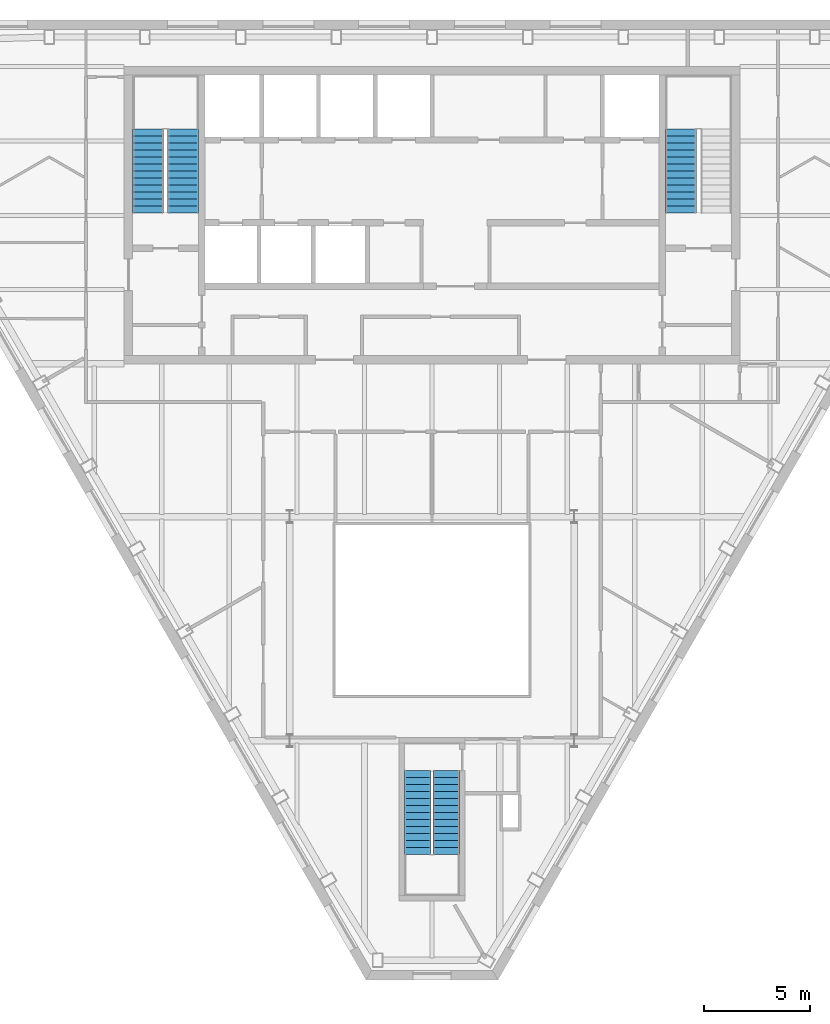
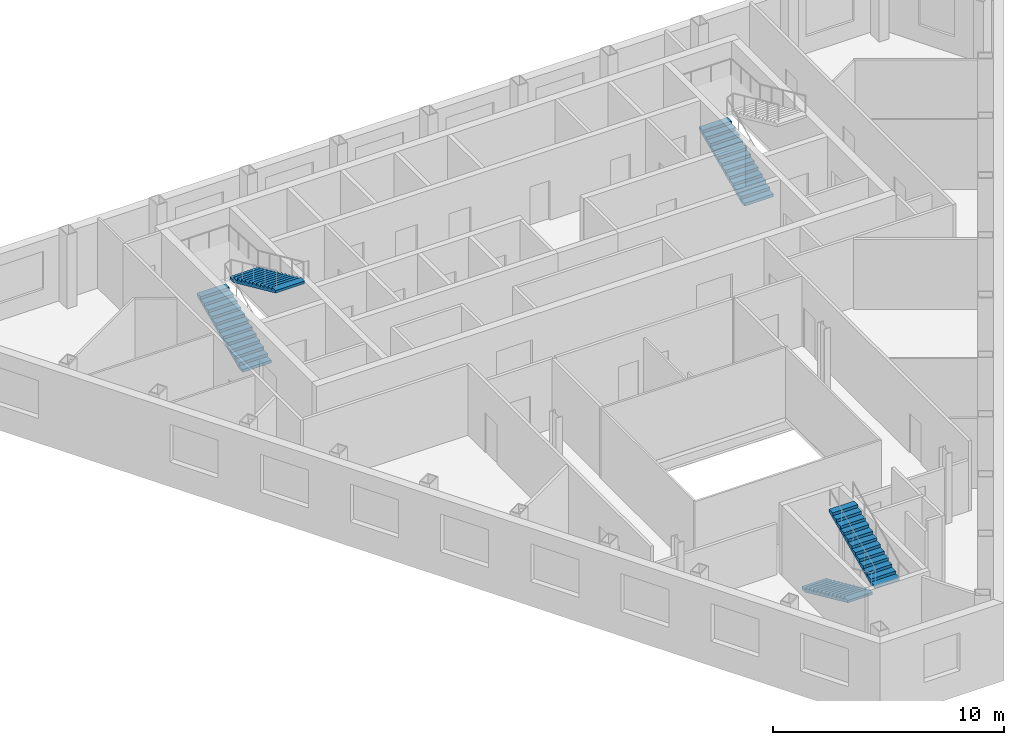
# One storey, part 8 of 10: 5 stair flights, 3 elements without a shape of their own.
"""IFC4 building model written with IfcOpenShell, lengths in metres."""

from ifc_helpers import new_model, si_unit, direction, frame, origin, place, context, subcontext, project, spatial, polygons, material, type_object, element, aggregate, save


model = new_model("IFC4")

# Units and contexts
model_context = context("Model", 3, precision=1e-05, world=origin(), true_north=direction((0.0, 1.0)))
body_context = subcontext(model_context, "Body", "Model", "MODEL_VIEW")
ifc_project = project(units=[si_unit("LENGTHUNIT", "METRE"), si_unit("AREAUNIT", "SQUARE_METRE"), si_unit("VOLUMEUNIT", "CUBIC_METRE"), si_unit("PLANEANGLEUNIT", "RADIAN"), si_unit("MASSUNIT", "GRAM", prefix="KILO")], contexts=[model_context])

# Site, building, storey
site_placement = place(None, origin())
site = spatial("IfcSite", under=ifc_project, at=site_placement, CompositionType="ELEMENT")
building_placement = place(site_placement, origin())
building = spatial("IfcBuilding", under=site, at=building_placement, Name="Njiva Tower", CompositionType="ELEMENT")
storey_placement = place(building_placement, frame((0.0, 0.0, 253.2)))
storey = spatial("IfcBuildingStorey", under=building, at=storey_placement, Name="L57", CompositionType="ELEMENT", Elevation=253.2)

# Stair, stair flights
ifc_material = material(Name="Concrete C40/50", Category="concrete")
stair_type_1 = type_object("IfcStairType", Name="ST1 Exit stair 1250", PredefinedType="HALF_TURN_STAIR", material=ifc_material)
stair_1_placement = place(storey_placement, origin())
stair_1 = element("IfcStair", 1, at=stair_1_placement, inside=storey, type_object=stair_type_1, Name="Stair C", PredefinedType="HALF_TURN_STAIR")
stair_flight_type_1 = type_object("IfcStairFlightType", Name="FL1 Stair flight 1250", PredefinedType="STRAIGHT", material=ifc_material)
stair_flight_1_placement = place(storey_placement, frame((-0.675, -15.16, 0.0), z_axis=(0.0, 0.0, 1.0), x_axis=(0.0, -1.0, 0.0)))
stair_flight_1 = element("IfcStairFlight", 2, at=stair_flight_1_placement, type_object=stair_flight_type_1, Name="ST-C flight 1", NumberOfRisers=13, NumberOfTreads=12, PredefinedType="STRAIGHT", RiserHeight=0.15, TreadLength=0.33, context=body_context, shape_type="Tessellation", body=[
    polygons([(0.0, 0.625, 0.0), (0.0, 0.3125, 0.0), (0.0, 0.0, 0.0), (0.0, -0.3125, 0.0), (0.0, -0.625, 0.0), (0.0, 0.625, 0.15), (0.0, 0.3125, 0.15), (0.0, 0.0, 0.15), (0.0, -0.3125, 0.15), (0.0, -0.625, 0.15), (0.33, 0.625, 0.15), (0.33, 0.3125, 0.15), (0.33, 0.0, 0.15), (0.33, -0.3125, 0.15), (0.33, -0.625, 0.15), (0.33, 0.625, 0.3), (0.33, 0.3125, 0.3), (0.33, 0.0, 0.3), (0.33, -0.3125, 0.3), (0.33, -0.625, 0.3), (0.66, 0.625, 0.3), (0.66, 0.3125, 0.3), (0.66, 0.0, 0.3), (0.66, -0.3125, 0.3), (0.66, -0.625, 0.3), (0.66, 0.625, 0.45), (0.66, 0.3125, 0.45), (0.66, 0.0, 0.45), (0.66, -0.3125, 0.45), (0.66, -0.625, 0.45), (0.99, 0.625, 0.45), (0.99, 0.3125, 0.45), (0.99, 0.0, 0.45), (0.99, -0.3125, 0.45), (0.99, -0.625, 0.45), (0.99, 0.625, 0.6), (0.99, 0.3125, 0.6), (0.99, 0.0, 0.6), (0.99, -0.3125, 0.6), (0.99, -0.625, 0.6), (1.32, 0.625, 0.6), (1.32, 0.3125, 0.6), (1.32, 0.0, 0.6), (1.32, -0.3125, 0.6), (1.32, -0.625, 0.6), (1.32, 0.625, 0.75), (1.32, 0.3125, 0.75), (1.32, 0.0, 0.75), (1.32, -0.3125, 0.75), (1.32, -0.625, 0.75), (1.65, 0.625, 0.75), (1.65, 0.3125, 0.75), (1.65, 0.0, 0.75), (1.65, -0.3125, 0.75), (1.65, -0.625, 0.75), (1.65, 0.625, 0.9), (1.65, 0.3125, 0.9), (1.65, 0.0, 0.9), (1.65, -0.3125, 0.9), (1.65, -0.625, 0.9), (1.98, 0.625, 0.9), (1.98, 0.3125, 0.9), (1.98, 0.0, 0.9), (1.98, -0.3125, 0.9), (1.98, -0.625, 0.9), (1.98, 0.625, 1.05), (1.98, 0.3125, 1.05), (1.98, 0.0, 1.05), (1.98, -0.3125, 1.05), (1.98, -0.625, 1.05), (2.31, 0.625, 1.05), (2.31, 0.3125, 1.05), (2.31, 0.0, 1.05), (2.31, -0.3125, 1.05), (2.31, -0.625, 1.05), (2.31, 0.625, 1.2), (2.31, 0.3125, 1.2), (2.31, 0.0, 1.2), (2.31, -0.3125, 1.2), (2.31, -0.625, 1.2), (2.64, 0.625, 1.2), (2.64, 0.3125, 1.2), (2.64, 0.0, 1.2), (2.64, -0.3125, 1.2), (2.64, -0.625, 1.2), (2.64, 0.625, 1.35), (2.64, 0.3125, 1.35), (2.64, 0.0, 1.35), (2.64, -0.3125, 1.35), (2.64, -0.625, 1.35), (2.97, 0.625, 1.35), (2.97, 0.3125, 1.35), (2.97, 0.0, 1.35), (2.97, -0.3125, 1.35), (2.97, -0.625, 1.35), (2.97, 0.625, 1.5), (2.97, 0.3125, 1.5), (2.97, 0.0, 1.5), (2.97, -0.3125, 1.5), (2.97, -0.625, 1.5), (3.3, 0.625, 1.5), (3.3, 0.3125, 1.5), (3.3, 0.0, 1.5), (3.3, -0.3125, 1.5), (3.3, -0.625, 1.5), (3.3, 0.625, 1.65), (3.3, 0.3125, 1.65), (3.3, 0.0, 1.65), (3.3, -0.3125, 1.65), (3.3, -0.625, 1.65), (3.63, 0.625, 1.65), (3.63, 0.3125, 1.65), (3.63, 0.0, 1.65), (3.63, -0.3125, 1.65), (3.63, -0.625, 1.65), (3.63, 0.625, 1.8), (3.63, 0.3125, 1.8), (3.63, 0.0, 1.8), (3.63, -0.3125, 1.8), (3.63, -0.625, 1.8), (3.96, 0.625, 1.8), (3.96, 0.3125, 1.8), (3.96, 0.0, 1.8), (3.96, -0.3125, 1.8), (3.96, -0.625, 1.8), (3.96, 0.625, 1.6682), (3.96, 0.3125, 1.6682), (3.96, 0.0, 1.6682), (3.96, -0.3125, 1.6682), (3.96, -0.625, 1.6682), (0.29, 0.625, 0.0), (0.29, 0.3125, 0.0), (0.29, 0.0, 0.0), (0.29, -0.3125, 0.0), (0.29, -0.625, 0.0)], [[[1, 6, 11, 16, 21, 26, 31, 36, 41, 46, 51, 56, 61, 66, 71, 76, 81, 86, 91, 96, 101, 106, 111, 116, 121, 126, 131]], [[135, 130, 125, 120, 115, 110, 105, 100, 95, 90, 85, 80, 75, 70, 65, 60, 55, 50, 45, 40, 35, 30, 25, 20, 15, 10, 5]], [[6, 1, 2, 7]], [[7, 2, 3, 8]], [[8, 3, 4, 9]], [[9, 4, 5, 10]], [[11, 6, 7, 12]], [[12, 7, 8, 13]], [[13, 8, 9, 14]], [[14, 9, 10, 15]], [[16, 11, 12, 17]], [[17, 12, 13, 18]], [[18, 13, 14, 19]], [[19, 14, 15, 20]], [[21, 16, 17, 22]], [[22, 17, 18, 23]], [[23, 18, 19, 24]], [[24, 19, 20, 25]], [[26, 21, 22, 27]], [[27, 22, 23, 28]], [[28, 23, 24, 29]], [[29, 24, 25, 30]], [[31, 26, 27, 32]], [[32, 27, 28, 33]], [[33, 28, 29, 34]], [[34, 29, 30, 35]], [[36, 31, 32, 37]], [[37, 32, 33, 38]], [[38, 33, 34, 39]], [[39, 34, 35, 40]], [[41, 36, 37, 42]], [[42, 37, 38, 43]], [[43, 38, 39, 44]], [[44, 39, 40, 45]], [[46, 41, 42, 47]], [[47, 42, 43, 48]], [[48, 43, 44, 49]], [[49, 44, 45, 50]], [[51, 46, 47, 52]], [[52, 47, 48, 53]], [[53, 48, 49, 54]], [[54, 49, 50, 55]], [[56, 51, 52, 57]], [[57, 52, 53, 58]], [[58, 53, 54, 59]], [[59, 54, 55, 60]], [[61, 56, 57, 62]], [[62, 57, 58, 63]], [[63, 58, 59, 64]], [[64, 59, 60, 65]], [[66, 61, 62, 67]], [[67, 62, 63, 68]], [[68, 63, 64, 69]], [[69, 64, 65, 70]], [[71, 66, 67, 72]], [[72, 67, 68, 73]], [[73, 68, 69, 74]], [[74, 69, 70, 75]], [[76, 71, 72, 77]], [[77, 72, 73, 78]], [[78, 73, 74, 79]], [[79, 74, 75, 80]], [[81, 76, 77, 82]], [[82, 77, 78, 83]], [[83, 78, 79, 84]], [[84, 79, 80, 85]], [[86, 81, 82, 87]], [[87, 82, 83, 88]], [[88, 83, 84, 89]], [[89, 84, 85, 90]], [[91, 86, 87, 92]], [[92, 87, 88, 93]], [[93, 88, 89, 94]], [[94, 89, 90, 95]], [[96, 91, 92, 97]], [[97, 92, 93, 98]], [[98, 93, 94, 99]], [[99, 94, 95, 100]], [[101, 96, 97, 102]], [[102, 97, 98, 103]], [[103, 98, 99, 104]], [[104, 99, 100, 105]], [[106, 101, 102, 107]], [[107, 102, 103, 108]], [[108, 103, 104, 109]], [[109, 104, 105, 110]], [[111, 106, 107, 112]], [[112, 107, 108, 113]], [[113, 108, 109, 114]], [[114, 109, 110, 115]], [[116, 111, 112, 117]], [[117, 112, 113, 118]], [[118, 113, 114, 119]], [[119, 114, 115, 120]], [[121, 116, 117, 122]], [[122, 117, 118, 123]], [[123, 118, 119, 124]], [[124, 119, 120, 125]], [[126, 121, 122, 127]], [[127, 122, 123, 128]], [[128, 123, 124, 129]], [[129, 124, 125, 130]], [[131, 126, 127, 132]], [[132, 127, 128, 133]], [[133, 128, 129, 134]], [[134, 129, 130, 135]], [[1, 131, 132, 2]], [[2, 132, 133, 3]], [[3, 133, 134, 4]], [[4, 134, 135, 5]]], closed=True),
])
stair_flight_2_placement = place(storey_placement, frame((0.675, -19.12, 1.95), z_axis=(0.0, 0.0, 1.0), x_axis=(0.0, 1.0, 0.0)))
stair_flight_2 = element("IfcStairFlight", 3, at=stair_flight_2_placement, type_object=stair_flight_type_1, Name="ST-C flight 2", NumberOfRisers=13, NumberOfTreads=12, PredefinedType="STRAIGHT", RiserHeight=0.15, TreadLength=0.33, context=body_context, shape_type="Tessellation", body=[
    polygons([(0.0, 0.625, 0.0), (0.0, 0.3125, 0.0), (0.0, 0.0, 0.0), (0.0, -0.3125, 0.0), (0.0, -0.625, 0.0), (0.0, 0.625, 0.15), (0.0, 0.3125, 0.15), (0.0, 0.0, 0.15), (0.0, -0.3125, 0.15), (0.0, -0.625, 0.15), (0.33, 0.625, 0.15), (0.33, 0.3125, 0.15), (0.33, 0.0, 0.15), (0.33, -0.3125, 0.15), (0.33, -0.625, 0.15), (0.33, 0.625, 0.3), (0.33, 0.3125, 0.3), (0.33, 0.0, 0.3), (0.33, -0.3125, 0.3), (0.33, -0.625, 0.3), (0.66, 0.625, 0.3), (0.66, 0.3125, 0.3), (0.66, 0.0, 0.3), (0.66, -0.3125, 0.3), (0.66, -0.625, 0.3), (0.66, 0.625, 0.45), (0.66, 0.3125, 0.45), (0.66, 0.0, 0.45), (0.66, -0.3125, 0.45), (0.66, -0.625, 0.45), (0.99, 0.625, 0.45), (0.99, 0.3125, 0.45), (0.99, 0.0, 0.45), (0.99, -0.3125, 0.45), (0.99, -0.625, 0.45), (0.99, 0.625, 0.6), (0.99, 0.3125, 0.6), (0.99, 0.0, 0.6), (0.99, -0.3125, 0.6), (0.99, -0.625, 0.6), (1.32, 0.625, 0.6), (1.32, 0.3125, 0.6), (1.32, 0.0, 0.6), (1.32, -0.3125, 0.6), (1.32, -0.625, 0.6), (1.32, 0.625, 0.75), (1.32, 0.3125, 0.75), (1.32, 0.0, 0.75), (1.32, -0.3125, 0.75), (1.32, -0.625, 0.75), (1.65, 0.625, 0.75), (1.65, 0.3125, 0.75), (1.65, 0.0, 0.75), (1.65, -0.3125, 0.75), (1.65, -0.625, 0.75), (1.65, 0.625, 0.9), (1.65, 0.3125, 0.9), (1.65, 0.0, 0.9), (1.65, -0.3125, 0.9), (1.65, -0.625, 0.9), (1.98, 0.625, 0.9), (1.98, 0.3125, 0.9), (1.98, 0.0, 0.9), (1.98, -0.3125, 0.9), (1.98, -0.625, 0.9), (1.98, 0.625, 1.05), (1.98, 0.3125, 1.05), (1.98, 0.0, 1.05), (1.98, -0.3125, 1.05), (1.98, -0.625, 1.05), (2.31, 0.625, 1.05), (2.31, 0.3125, 1.05), (2.31, 0.0, 1.05), (2.31, -0.3125, 1.05), (2.31, -0.625, 1.05), (2.31, 0.625, 1.2), (2.31, 0.3125, 1.2), (2.31, 0.0, 1.2), (2.31, -0.3125, 1.2), (2.31, -0.625, 1.2), (2.64, 0.625, 1.2), (2.64, 0.3125, 1.2), (2.64, 0.0, 1.2), (2.64, -0.3125, 1.2), (2.64, -0.625, 1.2), (2.64, 0.625, 1.35), (2.64, 0.3125, 1.35), (2.64, 0.0, 1.35), (2.64, -0.3125, 1.35), (2.64, -0.625, 1.35), (2.97, 0.625, 1.35), (2.97, 0.3125, 1.35), (2.97, 0.0, 1.35), (2.97, -0.3125, 1.35), (2.97, -0.625, 1.35), (2.97, 0.625, 1.5), (2.97, 0.3125, 1.5), (2.97, 0.0, 1.5), (2.97, -0.3125, 1.5), (2.97, -0.625, 1.5), (3.3, 0.625, 1.5), (3.3, 0.3125, 1.5), (3.3, 0.0, 1.5), (3.3, -0.3125, 1.5), (3.3, -0.625, 1.5), (3.3, 0.625, 1.65), (3.3, 0.3125, 1.65), (3.3, 0.0, 1.65), (3.3, -0.3125, 1.65), (3.3, -0.625, 1.65), (3.63, 0.625, 1.65), (3.63, 0.3125, 1.65), (3.63, 0.0, 1.65), (3.63, -0.3125, 1.65), (3.63, -0.625, 1.65), (3.63, 0.625, 1.8), (3.63, 0.3125, 1.8), (3.63, 0.0, 1.8), (3.63, -0.3125, 1.8), (3.63, -0.625, 1.8), (3.96, 0.625, 1.8), (3.96, 0.3125, 1.8), (3.96, 0.0, 1.8), (3.96, -0.3125, 1.8), (3.96, -0.625, 1.8), (3.96, 0.625, 1.6682), (3.96, 0.3125, 1.6682), (3.96, 0.0, 1.6682), (3.96, -0.3125, 1.6682), (3.96, -0.625, 1.6682), (0.29, 0.625, 0.0), (0.29, 0.3125, 0.0), (0.29, 0.0, 0.0), (0.29, -0.3125, 0.0), (0.29, -0.625, 0.0)], [[[1, 6, 11, 16, 21, 26, 31, 36, 41, 46, 51, 56, 61, 66, 71, 76, 81, 86, 91, 96, 101, 106, 111, 116, 121, 126, 131]], [[135, 130, 125, 120, 115, 110, 105, 100, 95, 90, 85, 80, 75, 70, 65, 60, 55, 50, 45, 40, 35, 30, 25, 20, 15, 10, 5]], [[6, 1, 2, 7]], [[7, 2, 3, 8]], [[8, 3, 4, 9]], [[9, 4, 5, 10]], [[11, 6, 7, 12]], [[12, 7, 8, 13]], [[13, 8, 9, 14]], [[14, 9, 10, 15]], [[16, 11, 12, 17]], [[17, 12, 13, 18]], [[18, 13, 14, 19]], [[19, 14, 15, 20]], [[21, 16, 17, 22]], [[22, 17, 18, 23]], [[23, 18, 19, 24]], [[24, 19, 20, 25]], [[26, 21, 22, 27]], [[27, 22, 23, 28]], [[28, 23, 24, 29]], [[29, 24, 25, 30]], [[31, 26, 27, 32]], [[32, 27, 28, 33]], [[33, 28, 29, 34]], [[34, 29, 30, 35]], [[36, 31, 32, 37]], [[37, 32, 33, 38]], [[38, 33, 34, 39]], [[39, 34, 35, 40]], [[41, 36, 37, 42]], [[42, 37, 38, 43]], [[43, 38, 39, 44]], [[44, 39, 40, 45]], [[46, 41, 42, 47]], [[47, 42, 43, 48]], [[48, 43, 44, 49]], [[49, 44, 45, 50]], [[51, 46, 47, 52]], [[52, 47, 48, 53]], [[53, 48, 49, 54]], [[54, 49, 50, 55]], [[56, 51, 52, 57]], [[57, 52, 53, 58]], [[58, 53, 54, 59]], [[59, 54, 55, 60]], [[61, 56, 57, 62]], [[62, 57, 58, 63]], [[63, 58, 59, 64]], [[64, 59, 60, 65]], [[66, 61, 62, 67]], [[67, 62, 63, 68]], [[68, 63, 64, 69]], [[69, 64, 65, 70]], [[71, 66, 67, 72]], [[72, 67, 68, 73]], [[73, 68, 69, 74]], [[74, 69, 70, 75]], [[76, 71, 72, 77]], [[77, 72, 73, 78]], [[78, 73, 74, 79]], [[79, 74, 75, 80]], [[81, 76, 77, 82]], [[82, 77, 78, 83]], [[83, 78, 79, 84]], [[84, 79, 80, 85]], [[86, 81, 82, 87]], [[87, 82, 83, 88]], [[88, 83, 84, 89]], [[89, 84, 85, 90]], [[91, 86, 87, 92]], [[92, 87, 88, 93]], [[93, 88, 89, 94]], [[94, 89, 90, 95]], [[96, 91, 92, 97]], [[97, 92, 93, 98]], [[98, 93, 94, 99]], [[99, 94, 95, 100]], [[101, 96, 97, 102]], [[102, 97, 98, 103]], [[103, 98, 99, 104]], [[104, 99, 100, 105]], [[106, 101, 102, 107]], [[107, 102, 103, 108]], [[108, 103, 104, 109]], [[109, 104, 105, 110]], [[111, 106, 107, 112]], [[112, 107, 108, 113]], [[113, 108, 109, 114]], [[114, 109, 110, 115]], [[116, 111, 112, 117]], [[117, 112, 113, 118]], [[118, 113, 114, 119]], [[119, 114, 115, 120]], [[121, 116, 117, 122]], [[122, 117, 118, 123]], [[123, 118, 119, 124]], [[124, 119, 120, 125]], [[126, 121, 122, 127]], [[127, 122, 123, 128]], [[128, 123, 124, 129]], [[129, 124, 125, 130]], [[131, 126, 127, 132]], [[132, 127, 128, 133]], [[133, 128, 129, 134]], [[134, 129, 130, 135]], [[1, 131, 132, 2]], [[2, 132, 133, 3]], [[3, 133, 134, 4]], [[4, 134, 135, 5]]], closed=True),
])
aggregate(stair_1, [stair_flight_1, stair_flight_2])

stair_type_2 = type_object("IfcStairType", Name="ST3 Exit stair 1450", PredefinedType="HALF_TURN_STAIR", material=ifc_material)
stair_2_placement = place(storey_placement, origin())
stair_2 = element("IfcStair", 4, at=stair_2_placement, inside=storey, type_object=stair_type_2, Name="Stair A", PredefinedType="HALF_TURN_STAIR")
stair_flight_type_2 = type_object("IfcStairFlightType", Name="FL3 Stair flight 1450", PredefinedType="STRAIGHT", material=ifc_material)
stair_flight_3_placement = place(storey_placement, frame((-13.375, 11.1, 0.0), z_axis=(0.0, 0.0, 1.0), x_axis=(0.0, 1.0, 0.0)))
stair_flight_3 = element("IfcStairFlight", 5, at=stair_flight_3_placement, type_object=stair_flight_type_2, Name="ST-A flight 1", NumberOfRisers=13, NumberOfTreads=12, PredefinedType="STRAIGHT", RiserHeight=0.15, TreadLength=0.33, context=body_context, shape_type="Tessellation", body=[
    polygons([(0.0, 0.725, 0.0), (0.0, 0.3625, 0.0), (0.0, 0.0, 0.0), (0.0, -0.3625, 0.0), (0.0, -0.725, 0.0), (0.0, 0.725, 0.15), (0.0, 0.3625, 0.15), (0.0, 0.0, 0.15), (0.0, -0.3625, 0.15), (0.0, -0.725, 0.15), (0.33, 0.725, 0.15), (0.33, 0.3625, 0.15), (0.33, 0.0, 0.15), (0.33, -0.3625, 0.15), (0.33, -0.725, 0.15), (0.33, 0.725, 0.3), (0.33, 0.3625, 0.3), (0.33, 0.0, 0.3), (0.33, -0.3625, 0.3), (0.33, -0.725, 0.3), (0.66, 0.725, 0.3), (0.66, 0.3625, 0.3), (0.66, 0.0, 0.3), (0.66, -0.3625, 0.3), (0.66, -0.725, 0.3), (0.66, 0.725, 0.45), (0.66, 0.3625, 0.45), (0.66, 0.0, 0.45), (0.66, -0.3625, 0.45), (0.66, -0.725, 0.45), (0.99, 0.725, 0.45), (0.99, 0.3625, 0.45), (0.99, 0.0, 0.45), (0.99, -0.3625, 0.45), (0.99, -0.725, 0.45), (0.99, 0.725, 0.6), (0.99, 0.3625, 0.6), (0.99, 0.0, 0.6), (0.99, -0.3625, 0.6), (0.99, -0.725, 0.6), (1.32, 0.725, 0.6), (1.32, 0.3625, 0.6), (1.32, 0.0, 0.6), (1.32, -0.3625, 0.6), (1.32, -0.725, 0.6), (1.32, 0.725, 0.75), (1.32, 0.3625, 0.75), (1.32, 0.0, 0.75), (1.32, -0.3625, 0.75), (1.32, -0.725, 0.75), (1.65, 0.725, 0.75), (1.65, 0.3625, 0.75), (1.65, 0.0, 0.75), (1.65, -0.3625, 0.75), (1.65, -0.725, 0.75), (1.65, 0.725, 0.9), (1.65, 0.3625, 0.9), (1.65, 0.0, 0.9), (1.65, -0.3625, 0.9), (1.65, -0.725, 0.9), (1.98, 0.725, 0.9), (1.98, 0.3625, 0.9), (1.98, 0.0, 0.9), (1.98, -0.3625, 0.9), (1.98, -0.725, 0.9), (1.98, 0.725, 1.05), (1.98, 0.3625, 1.05), (1.98, 0.0, 1.05), (1.98, -0.3625, 1.05), (1.98, -0.725, 1.05), (2.31, 0.725, 1.05), (2.31, 0.3625, 1.05), (2.31, 0.0, 1.05), (2.31, -0.3625, 1.05), (2.31, -0.725, 1.05), (2.31, 0.725, 1.2), (2.31, 0.3625, 1.2), (2.31, 0.0, 1.2), (2.31, -0.3625, 1.2), (2.31, -0.725, 1.2), (2.64, 0.725, 1.2), (2.64, 0.3625, 1.2), (2.64, 0.0, 1.2), (2.64, -0.3625, 1.2), (2.64, -0.725, 1.2), (2.64, 0.725, 1.35), (2.64, 0.3625, 1.35), (2.64, 0.0, 1.35), (2.64, -0.3625, 1.35), (2.64, -0.725, 1.35), (2.97, 0.725, 1.35), (2.97, 0.3625, 1.35), (2.97, 0.0, 1.35), (2.97, -0.3625, 1.35), (2.97, -0.725, 1.35), (2.97, 0.725, 1.5), (2.97, 0.3625, 1.5), (2.97, 0.0, 1.5), (2.97, -0.3625, 1.5), (2.97, -0.725, 1.5), (3.3, 0.725, 1.5), (3.3, 0.3625, 1.5), (3.3, 0.0, 1.5), (3.3, -0.3625, 1.5), (3.3, -0.725, 1.5), (3.3, 0.725, 1.65), (3.3, 0.3625, 1.65), (3.3, 0.0, 1.65), (3.3, -0.3625, 1.65), (3.3, -0.725, 1.65), (3.63, 0.725, 1.65), (3.63, 0.3625, 1.65), (3.63, 0.0, 1.65), (3.63, -0.3625, 1.65), (3.63, -0.725, 1.65), (3.63, 0.725, 1.8), (3.63, 0.3625, 1.8), (3.63, 0.0, 1.8), (3.63, -0.3625, 1.8), (3.63, -0.725, 1.8), (3.96, 0.725, 1.8), (3.96, 0.3625, 1.8), (3.96, 0.0, 1.8), (3.96, -0.3625, 1.8), (3.96, -0.725, 1.8), (3.96, 0.725, 1.6682), (3.96, 0.3625, 1.6682), (3.96, 0.0, 1.6682), (3.96, -0.3625, 1.6682), (3.96, -0.725, 1.6682), (0.29, 0.725, 0.0), (0.29, 0.3625, 0.0), (0.29, 0.0, 0.0), (0.29, -0.3625, 0.0), (0.29, -0.725, 0.0)], [[[1, 6, 11, 16, 21, 26, 31, 36, 41, 46, 51, 56, 61, 66, 71, 76, 81, 86, 91, 96, 101, 106, 111, 116, 121, 126, 131]], [[135, 130, 125, 120, 115, 110, 105, 100, 95, 90, 85, 80, 75, 70, 65, 60, 55, 50, 45, 40, 35, 30, 25, 20, 15, 10, 5]], [[6, 1, 2, 7]], [[7, 2, 3, 8]], [[8, 3, 4, 9]], [[9, 4, 5, 10]], [[11, 6, 7, 12]], [[12, 7, 8, 13]], [[13, 8, 9, 14]], [[14, 9, 10, 15]], [[16, 11, 12, 17]], [[17, 12, 13, 18]], [[18, 13, 14, 19]], [[19, 14, 15, 20]], [[21, 16, 17, 22]], [[22, 17, 18, 23]], [[23, 18, 19, 24]], [[24, 19, 20, 25]], [[26, 21, 22, 27]], [[27, 22, 23, 28]], [[28, 23, 24, 29]], [[29, 24, 25, 30]], [[31, 26, 27, 32]], [[32, 27, 28, 33]], [[33, 28, 29, 34]], [[34, 29, 30, 35]], [[36, 31, 32, 37]], [[37, 32, 33, 38]], [[38, 33, 34, 39]], [[39, 34, 35, 40]], [[41, 36, 37, 42]], [[42, 37, 38, 43]], [[43, 38, 39, 44]], [[44, 39, 40, 45]], [[46, 41, 42, 47]], [[47, 42, 43, 48]], [[48, 43, 44, 49]], [[49, 44, 45, 50]], [[51, 46, 47, 52]], [[52, 47, 48, 53]], [[53, 48, 49, 54]], [[54, 49, 50, 55]], [[56, 51, 52, 57]], [[57, 52, 53, 58]], [[58, 53, 54, 59]], [[59, 54, 55, 60]], [[61, 56, 57, 62]], [[62, 57, 58, 63]], [[63, 58, 59, 64]], [[64, 59, 60, 65]], [[66, 61, 62, 67]], [[67, 62, 63, 68]], [[68, 63, 64, 69]], [[69, 64, 65, 70]], [[71, 66, 67, 72]], [[72, 67, 68, 73]], [[73, 68, 69, 74]], [[74, 69, 70, 75]], [[76, 71, 72, 77]], [[77, 72, 73, 78]], [[78, 73, 74, 79]], [[79, 74, 75, 80]], [[81, 76, 77, 82]], [[82, 77, 78, 83]], [[83, 78, 79, 84]], [[84, 79, 80, 85]], [[86, 81, 82, 87]], [[87, 82, 83, 88]], [[88, 83, 84, 89]], [[89, 84, 85, 90]], [[91, 86, 87, 92]], [[92, 87, 88, 93]], [[93, 88, 89, 94]], [[94, 89, 90, 95]], [[96, 91, 92, 97]], [[97, 92, 93, 98]], [[98, 93, 94, 99]], [[99, 94, 95, 100]], [[101, 96, 97, 102]], [[102, 97, 98, 103]], [[103, 98, 99, 104]], [[104, 99, 100, 105]], [[106, 101, 102, 107]], [[107, 102, 103, 108]], [[108, 103, 104, 109]], [[109, 104, 105, 110]], [[111, 106, 107, 112]], [[112, 107, 108, 113]], [[113, 108, 109, 114]], [[114, 109, 110, 115]], [[116, 111, 112, 117]], [[117, 112, 113, 118]], [[118, 113, 114, 119]], [[119, 114, 115, 120]], [[121, 116, 117, 122]], [[122, 117, 118, 123]], [[123, 118, 119, 124]], [[124, 119, 120, 125]], [[126, 121, 122, 127]], [[127, 122, 123, 128]], [[128, 123, 124, 129]], [[129, 124, 125, 130]], [[131, 126, 127, 132]], [[132, 127, 128, 133]], [[133, 128, 129, 134]], [[134, 129, 130, 135]], [[1, 131, 132, 2]], [[2, 132, 133, 3]], [[3, 133, 134, 4]], [[4, 134, 135, 5]]], closed=True),
])
stair_flight_4_placement = place(storey_placement, frame((-11.725, 15.06, 1.95), z_axis=(0.0, 0.0, 1.0), x_axis=(0.0, -1.0, 0.0)))
stair_flight_4 = element("IfcStairFlight", 6, at=stair_flight_4_placement, type_object=stair_flight_type_2, Name="ST-A flight 2", NumberOfRisers=13, NumberOfTreads=12, PredefinedType="STRAIGHT", RiserHeight=0.15, TreadLength=0.33, context=body_context, shape_type="Tessellation", body=[
    polygons([(0.0, 0.725, 0.0), (0.0, 0.3625, 0.0), (0.0, 0.0, 0.0), (0.0, -0.3625, 0.0), (0.0, -0.725, 0.0), (0.0, 0.725, 0.15), (0.0, 0.3625, 0.15), (0.0, 0.0, 0.15), (0.0, -0.3625, 0.15), (0.0, -0.725, 0.15), (0.33, 0.725, 0.15), (0.33, 0.3625, 0.15), (0.33, 0.0, 0.15), (0.33, -0.3625, 0.15), (0.33, -0.725, 0.15), (0.33, 0.725, 0.3), (0.33, 0.3625, 0.3), (0.33, 0.0, 0.3), (0.33, -0.3625, 0.3), (0.33, -0.725, 0.3), (0.66, 0.725, 0.3), (0.66, 0.3625, 0.3), (0.66, 0.0, 0.3), (0.66, -0.3625, 0.3), (0.66, -0.725, 0.3), (0.66, 0.725, 0.45), (0.66, 0.3625, 0.45), (0.66, 0.0, 0.45), (0.66, -0.3625, 0.45), (0.66, -0.725, 0.45), (0.99, 0.725, 0.45), (0.99, 0.3625, 0.45), (0.99, 0.0, 0.45), (0.99, -0.3625, 0.45), (0.99, -0.725, 0.45), (0.99, 0.725, 0.6), (0.99, 0.3625, 0.6), (0.99, 0.0, 0.6), (0.99, -0.3625, 0.6), (0.99, -0.725, 0.6), (1.32, 0.725, 0.6), (1.32, 0.3625, 0.6), (1.32, 0.0, 0.6), (1.32, -0.3625, 0.6), (1.32, -0.725, 0.6), (1.32, 0.725, 0.75), (1.32, 0.3625, 0.75), (1.32, 0.0, 0.75), (1.32, -0.3625, 0.75), (1.32, -0.725, 0.75), (1.65, 0.725, 0.75), (1.65, 0.3625, 0.75), (1.65, 0.0, 0.75), (1.65, -0.3625, 0.75), (1.65, -0.725, 0.75), (1.65, 0.725, 0.9), (1.65, 0.3625, 0.9), (1.65, 0.0, 0.9), (1.65, -0.3625, 0.9), (1.65, -0.725, 0.9), (1.98, 0.725, 0.9), (1.98, 0.3625, 0.9), (1.98, 0.0, 0.9), (1.98, -0.3625, 0.9), (1.98, -0.725, 0.9), (1.98, 0.725, 1.05), (1.98, 0.3625, 1.05), (1.98, 0.0, 1.05), (1.98, -0.3625, 1.05), (1.98, -0.725, 1.05), (2.31, 0.725, 1.05), (2.31, 0.3625, 1.05), (2.31, 0.0, 1.05), (2.31, -0.3625, 1.05), (2.31, -0.725, 1.05), (2.31, 0.725, 1.2), (2.31, 0.3625, 1.2), (2.31, 0.0, 1.2), (2.31, -0.3625, 1.2), (2.31, -0.725, 1.2), (2.64, 0.725, 1.2), (2.64, 0.3625, 1.2), (2.64, 0.0, 1.2), (2.64, -0.3625, 1.2), (2.64, -0.725, 1.2), (2.64, 0.725, 1.35), (2.64, 0.3625, 1.35), (2.64, 0.0, 1.35), (2.64, -0.3625, 1.35), (2.64, -0.725, 1.35), (2.97, 0.725, 1.35), (2.97, 0.3625, 1.35), (2.97, 0.0, 1.35), (2.97, -0.3625, 1.35), (2.97, -0.725, 1.35), (2.97, 0.725, 1.5), (2.97, 0.3625, 1.5), (2.97, 0.0, 1.5), (2.97, -0.3625, 1.5), (2.97, -0.725, 1.5), (3.3, 0.725, 1.5), (3.3, 0.3625, 1.5), (3.3, 0.0, 1.5), (3.3, -0.3625, 1.5), (3.3, -0.725, 1.5), (3.3, 0.725, 1.65), (3.3, 0.3625, 1.65), (3.3, 0.0, 1.65), (3.3, -0.3625, 1.65), (3.3, -0.725, 1.65), (3.63, 0.725, 1.65), (3.63, 0.3625, 1.65), (3.63, 0.0, 1.65), (3.63, -0.3625, 1.65), (3.63, -0.725, 1.65), (3.63, 0.725, 1.8), (3.63, 0.3625, 1.8), (3.63, 0.0, 1.8), (3.63, -0.3625, 1.8), (3.63, -0.725, 1.8), (3.96, 0.725, 1.8), (3.96, 0.3625, 1.8), (3.96, 0.0, 1.8), (3.96, -0.3625, 1.8), (3.96, -0.725, 1.8), (3.96, 0.725, 1.6682), (3.96, 0.3625, 1.6682), (3.96, 0.0, 1.6682), (3.96, -0.3625, 1.6682), (3.96, -0.725, 1.6682), (0.29, 0.725, 0.0), (0.29, 0.3625, 0.0), (0.29, 0.0, 0.0), (0.29, -0.3625, 0.0), (0.29, -0.725, 0.0)], [[[1, 6, 11, 16, 21, 26, 31, 36, 41, 46, 51, 56, 61, 66, 71, 76, 81, 86, 91, 96, 101, 106, 111, 116, 121, 126, 131]], [[135, 130, 125, 120, 115, 110, 105, 100, 95, 90, 85, 80, 75, 70, 65, 60, 55, 50, 45, 40, 35, 30, 25, 20, 15, 10, 5]], [[6, 1, 2, 7]], [[7, 2, 3, 8]], [[8, 3, 4, 9]], [[9, 4, 5, 10]], [[11, 6, 7, 12]], [[12, 7, 8, 13]], [[13, 8, 9, 14]], [[14, 9, 10, 15]], [[16, 11, 12, 17]], [[17, 12, 13, 18]], [[18, 13, 14, 19]], [[19, 14, 15, 20]], [[21, 16, 17, 22]], [[22, 17, 18, 23]], [[23, 18, 19, 24]], [[24, 19, 20, 25]], [[26, 21, 22, 27]], [[27, 22, 23, 28]], [[28, 23, 24, 29]], [[29, 24, 25, 30]], [[31, 26, 27, 32]], [[32, 27, 28, 33]], [[33, 28, 29, 34]], [[34, 29, 30, 35]], [[36, 31, 32, 37]], [[37, 32, 33, 38]], [[38, 33, 34, 39]], [[39, 34, 35, 40]], [[41, 36, 37, 42]], [[42, 37, 38, 43]], [[43, 38, 39, 44]], [[44, 39, 40, 45]], [[46, 41, 42, 47]], [[47, 42, 43, 48]], [[48, 43, 44, 49]], [[49, 44, 45, 50]], [[51, 46, 47, 52]], [[52, 47, 48, 53]], [[53, 48, 49, 54]], [[54, 49, 50, 55]], [[56, 51, 52, 57]], [[57, 52, 53, 58]], [[58, 53, 54, 59]], [[59, 54, 55, 60]], [[61, 56, 57, 62]], [[62, 57, 58, 63]], [[63, 58, 59, 64]], [[64, 59, 60, 65]], [[66, 61, 62, 67]], [[67, 62, 63, 68]], [[68, 63, 64, 69]], [[69, 64, 65, 70]], [[71, 66, 67, 72]], [[72, 67, 68, 73]], [[73, 68, 69, 74]], [[74, 69, 70, 75]], [[76, 71, 72, 77]], [[77, 72, 73, 78]], [[78, 73, 74, 79]], [[79, 74, 75, 80]], [[81, 76, 77, 82]], [[82, 77, 78, 83]], [[83, 78, 79, 84]], [[84, 79, 80, 85]], [[86, 81, 82, 87]], [[87, 82, 83, 88]], [[88, 83, 84, 89]], [[89, 84, 85, 90]], [[91, 86, 87, 92]], [[92, 87, 88, 93]], [[93, 88, 89, 94]], [[94, 89, 90, 95]], [[96, 91, 92, 97]], [[97, 92, 93, 98]], [[98, 93, 94, 99]], [[99, 94, 95, 100]], [[101, 96, 97, 102]], [[102, 97, 98, 103]], [[103, 98, 99, 104]], [[104, 99, 100, 105]], [[106, 101, 102, 107]], [[107, 102, 103, 108]], [[108, 103, 104, 109]], [[109, 104, 105, 110]], [[111, 106, 107, 112]], [[112, 107, 108, 113]], [[113, 108, 109, 114]], [[114, 109, 110, 115]], [[116, 111, 112, 117]], [[117, 112, 113, 118]], [[118, 113, 114, 119]], [[119, 114, 115, 120]], [[121, 116, 117, 122]], [[122, 117, 118, 123]], [[123, 118, 119, 124]], [[124, 119, 120, 125]], [[126, 121, 122, 127]], [[127, 122, 123, 128]], [[128, 123, 124, 129]], [[129, 124, 125, 130]], [[131, 126, 127, 132]], [[132, 127, 128, 133]], [[133, 128, 129, 134]], [[134, 129, 130, 135]], [[1, 131, 132, 2]], [[2, 132, 133, 3]], [[3, 133, 134, 4]], [[4, 134, 135, 5]]], closed=True),
])
aggregate(stair_2, [stair_flight_3, stair_flight_4])

# Stair, stair flight
stair_3_placement = place(storey_placement, origin())
stair_3 = element("IfcStair", 7, at=stair_3_placement, inside=storey, type_object=stair_type_2, Name="Stair B", PredefinedType="HALF_TURN_STAIR")
stair_flight_5_placement = place(storey_placement, frame((11.725, 11.1, 0.0), z_axis=(0.0, 0.0, 1.0), x_axis=(0.0, 1.0, 0.0)))
stair_flight_5 = element("IfcStairFlight", 8, at=stair_flight_5_placement, type_object=stair_flight_type_2, Name="ST-B flight 1", NumberOfRisers=13, NumberOfTreads=12, PredefinedType="STRAIGHT", RiserHeight=0.15, TreadLength=0.33, context=body_context, shape_type="Tessellation", body=[
    polygons([(0.0, 0.725, 0.0), (0.0, 0.3625, 0.0), (0.0, 0.0, 0.0), (0.0, -0.3625, 0.0), (0.0, -0.725, 0.0), (0.0, 0.725, 0.15), (0.0, 0.3625, 0.15), (0.0, 0.0, 0.15), (0.0, -0.3625, 0.15), (0.0, -0.725, 0.15), (0.33, 0.725, 0.15), (0.33, 0.3625, 0.15), (0.33, 0.0, 0.15), (0.33, -0.3625, 0.15), (0.33, -0.725, 0.15), (0.33, 0.725, 0.3), (0.33, 0.3625, 0.3), (0.33, 0.0, 0.3), (0.33, -0.3625, 0.3), (0.33, -0.725, 0.3), (0.66, 0.725, 0.3), (0.66, 0.3625, 0.3), (0.66, 0.0, 0.3), (0.66, -0.3625, 0.3), (0.66, -0.725, 0.3), (0.66, 0.725, 0.45), (0.66, 0.3625, 0.45), (0.66, 0.0, 0.45), (0.66, -0.3625, 0.45), (0.66, -0.725, 0.45), (0.99, 0.725, 0.45), (0.99, 0.3625, 0.45), (0.99, 0.0, 0.45), (0.99, -0.3625, 0.45), (0.99, -0.725, 0.45), (0.99, 0.725, 0.6), (0.99, 0.3625, 0.6), (0.99, 0.0, 0.6), (0.99, -0.3625, 0.6), (0.99, -0.725, 0.6), (1.32, 0.725, 0.6), (1.32, 0.3625, 0.6), (1.32, 0.0, 0.6), (1.32, -0.3625, 0.6), (1.32, -0.725, 0.6), (1.32, 0.725, 0.75), (1.32, 0.3625, 0.75), (1.32, 0.0, 0.75), (1.32, -0.3625, 0.75), (1.32, -0.725, 0.75), (1.65, 0.725, 0.75), (1.65, 0.3625, 0.75), (1.65, 0.0, 0.75), (1.65, -0.3625, 0.75), (1.65, -0.725, 0.75), (1.65, 0.725, 0.9), (1.65, 0.3625, 0.9), (1.65, 0.0, 0.9), (1.65, -0.3625, 0.9), (1.65, -0.725, 0.9), (1.98, 0.725, 0.9), (1.98, 0.3625, 0.9), (1.98, 0.0, 0.9), (1.98, -0.3625, 0.9), (1.98, -0.725, 0.9), (1.98, 0.725, 1.05), (1.98, 0.3625, 1.05), (1.98, 0.0, 1.05), (1.98, -0.3625, 1.05), (1.98, -0.725, 1.05), (2.31, 0.725, 1.05), (2.31, 0.3625, 1.05), (2.31, 0.0, 1.05), (2.31, -0.3625, 1.05), (2.31, -0.725, 1.05), (2.31, 0.725, 1.2), (2.31, 0.3625, 1.2), (2.31, 0.0, 1.2), (2.31, -0.3625, 1.2), (2.31, -0.725, 1.2), (2.64, 0.725, 1.2), (2.64, 0.3625, 1.2), (2.64, 0.0, 1.2), (2.64, -0.3625, 1.2), (2.64, -0.725, 1.2), (2.64, 0.725, 1.35), (2.64, 0.3625, 1.35), (2.64, 0.0, 1.35), (2.64, -0.3625, 1.35), (2.64, -0.725, 1.35), (2.97, 0.725, 1.35), (2.97, 0.3625, 1.35), (2.97, 0.0, 1.35), (2.97, -0.3625, 1.35), (2.97, -0.725, 1.35), (2.97, 0.725, 1.5), (2.97, 0.3625, 1.5), (2.97, 0.0, 1.5), (2.97, -0.3625, 1.5), (2.97, -0.725, 1.5), (3.3, 0.725, 1.5), (3.3, 0.3625, 1.5), (3.3, 0.0, 1.5), (3.3, -0.3625, 1.5), (3.3, -0.725, 1.5), (3.3, 0.725, 1.65), (3.3, 0.3625, 1.65), (3.3, 0.0, 1.65), (3.3, -0.3625, 1.65), (3.3, -0.725, 1.65), (3.63, 0.725, 1.65), (3.63, 0.3625, 1.65), (3.63, 0.0, 1.65), (3.63, -0.3625, 1.65), (3.63, -0.725, 1.65), (3.63, 0.725, 1.8), (3.63, 0.3625, 1.8), (3.63, 0.0, 1.8), (3.63, -0.3625, 1.8), (3.63, -0.725, 1.8), (3.96, 0.725, 1.8), (3.96, 0.3625, 1.8), (3.96, 0.0, 1.8), (3.96, -0.3625, 1.8), (3.96, -0.725, 1.8), (3.96, 0.725, 1.6682), (3.96, 0.3625, 1.6682), (3.96, 0.0, 1.6682), (3.96, -0.3625, 1.6682), (3.96, -0.725, 1.6682), (0.29, 0.725, 0.0), (0.29, 0.3625, 0.0), (0.29, 0.0, 0.0), (0.29, -0.3625, 0.0), (0.29, -0.725, 0.0)], [[[1, 6, 11, 16, 21, 26, 31, 36, 41, 46, 51, 56, 61, 66, 71, 76, 81, 86, 91, 96, 101, 106, 111, 116, 121, 126, 131]], [[135, 130, 125, 120, 115, 110, 105, 100, 95, 90, 85, 80, 75, 70, 65, 60, 55, 50, 45, 40, 35, 30, 25, 20, 15, 10, 5]], [[6, 1, 2, 7]], [[7, 2, 3, 8]], [[8, 3, 4, 9]], [[9, 4, 5, 10]], [[11, 6, 7, 12]], [[12, 7, 8, 13]], [[13, 8, 9, 14]], [[14, 9, 10, 15]], [[16, 11, 12, 17]], [[17, 12, 13, 18]], [[18, 13, 14, 19]], [[19, 14, 15, 20]], [[21, 16, 17, 22]], [[22, 17, 18, 23]], [[23, 18, 19, 24]], [[24, 19, 20, 25]], [[26, 21, 22, 27]], [[27, 22, 23, 28]], [[28, 23, 24, 29]], [[29, 24, 25, 30]], [[31, 26, 27, 32]], [[32, 27, 28, 33]], [[33, 28, 29, 34]], [[34, 29, 30, 35]], [[36, 31, 32, 37]], [[37, 32, 33, 38]], [[38, 33, 34, 39]], [[39, 34, 35, 40]], [[41, 36, 37, 42]], [[42, 37, 38, 43]], [[43, 38, 39, 44]], [[44, 39, 40, 45]], [[46, 41, 42, 47]], [[47, 42, 43, 48]], [[48, 43, 44, 49]], [[49, 44, 45, 50]], [[51, 46, 47, 52]], [[52, 47, 48, 53]], [[53, 48, 49, 54]], [[54, 49, 50, 55]], [[56, 51, 52, 57]], [[57, 52, 53, 58]], [[58, 53, 54, 59]], [[59, 54, 55, 60]], [[61, 56, 57, 62]], [[62, 57, 58, 63]], [[63, 58, 59, 64]], [[64, 59, 60, 65]], [[66, 61, 62, 67]], [[67, 62, 63, 68]], [[68, 63, 64, 69]], [[69, 64, 65, 70]], [[71, 66, 67, 72]], [[72, 67, 68, 73]], [[73, 68, 69, 74]], [[74, 69, 70, 75]], [[76, 71, 72, 77]], [[77, 72, 73, 78]], [[78, 73, 74, 79]], [[79, 74, 75, 80]], [[81, 76, 77, 82]], [[82, 77, 78, 83]], [[83, 78, 79, 84]], [[84, 79, 80, 85]], [[86, 81, 82, 87]], [[87, 82, 83, 88]], [[88, 83, 84, 89]], [[89, 84, 85, 90]], [[91, 86, 87, 92]], [[92, 87, 88, 93]], [[93, 88, 89, 94]], [[94, 89, 90, 95]], [[96, 91, 92, 97]], [[97, 92, 93, 98]], [[98, 93, 94, 99]], [[99, 94, 95, 100]], [[101, 96, 97, 102]], [[102, 97, 98, 103]], [[103, 98, 99, 104]], [[104, 99, 100, 105]], [[106, 101, 102, 107]], [[107, 102, 103, 108]], [[108, 103, 104, 109]], [[109, 104, 105, 110]], [[111, 106, 107, 112]], [[112, 107, 108, 113]], [[113, 108, 109, 114]], [[114, 109, 110, 115]], [[116, 111, 112, 117]], [[117, 112, 113, 118]], [[118, 113, 114, 119]], [[119, 114, 115, 120]], [[121, 116, 117, 122]], [[122, 117, 118, 123]], [[123, 118, 119, 124]], [[124, 119, 120, 125]], [[126, 121, 122, 127]], [[127, 122, 123, 128]], [[128, 123, 124, 129]], [[129, 124, 125, 130]], [[131, 126, 127, 132]], [[132, 127, 128, 133]], [[133, 128, 129, 134]], [[134, 129, 130, 135]], [[1, 131, 132, 2]], [[2, 132, 133, 3]], [[3, 133, 134, 4]], [[4, 134, 135, 5]]], closed=True),
])
aggregate(stair_3, [stair_flight_5])

save(model, "model.ifc")
